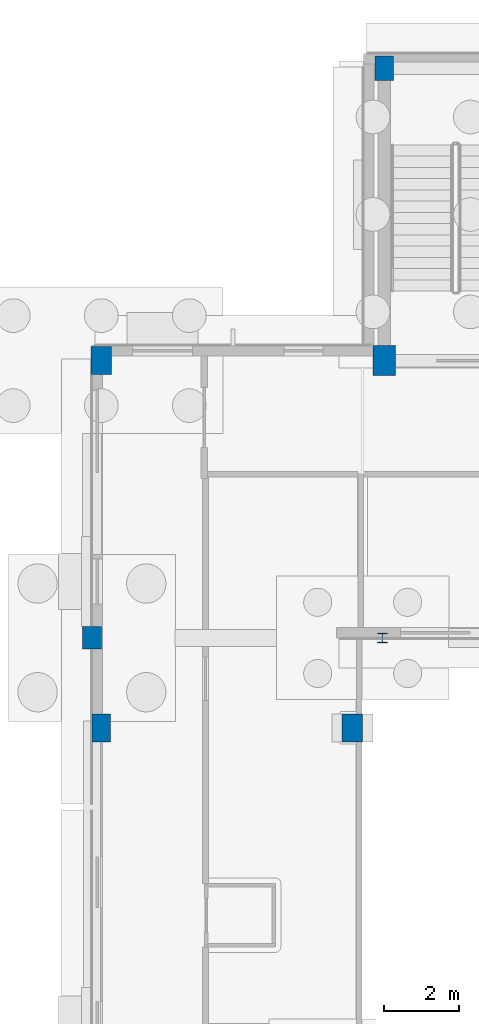
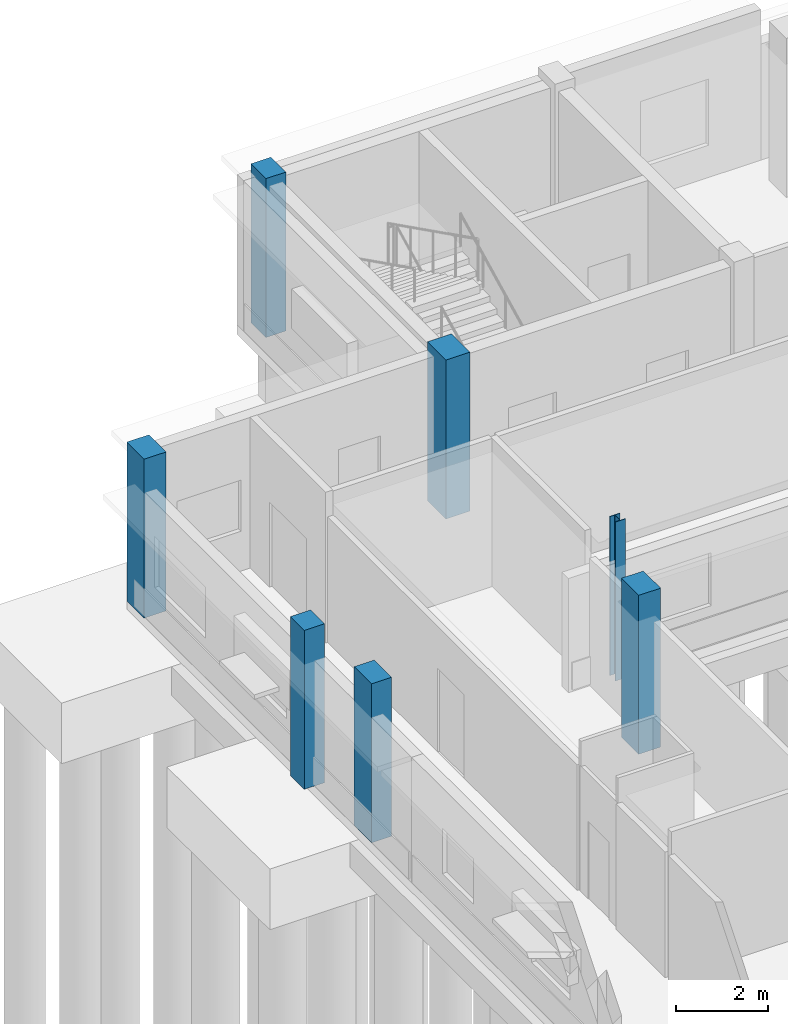
# One storey, part 22 of 93: 7 columns.
"""IFC4 building model written with IfcOpenShell, lengths in metres."""

from ifc_helpers import new_model, si_unit, direction, frame, origin, origin_2d, place, context, subcontext, project, spatial, rectangle, i_section, extrude, material, material_profile, profile_set, type_object, element, save


model = new_model("IFC4")

# Units and contexts
model_context = context("Model", 3, precision=1e-05, world=origin(), true_north=direction((0.0, 1.0)))
body_context = subcontext(model_context, "Body", "Model", "MODEL_VIEW")
ifc_project = project(units=[si_unit("LENGTHUNIT", "METRE"), si_unit("AREAUNIT", "SQUARE_METRE"), si_unit("VOLUMEUNIT", "CUBIC_METRE"), si_unit("PLANEANGLEUNIT", "RADIAN"), si_unit("MASSUNIT", "GRAM", prefix="KILO")], contexts=[model_context])

# Site, building, storey
site_placement = place(None, origin())
site = spatial("IfcSite", under=ifc_project, at=site_placement, CompositionType="ELEMENT")
building_placement = place(site_placement, origin())
building = spatial("IfcBuilding", under=site, at=building_placement, Name="Kelanivale Promenade Academy", CompositionType="ELEMENT")
storey_placement = place(building_placement, origin())
storey = spatial("IfcBuildingStorey", under=building, at=storey_placement, Name="L00", CompositionType="ELEMENT", Elevation=0.0)

# Columns
ifc_material_1 = material(Name="Concrete C40/50", Category="concrete")
ifc_material_profile_1 = material_profile(ifc_material_1, rectangle(XDim=0.5, YDim=0.64990234375, at=origin_2d()), Name="RC-COL 500x650")
ifc_profile_set_1 = profile_set([ifc_material_profile_1], Name="Concrete C40/50")
column_type_1 = type_object("IfcColumnType", Name="C-11 RC-COL 500x650", PredefinedType="COLUMN", material=ifc_profile_set_1)
column_1_placement = place(storey_placement, frame((123.39990234375, 111.60009765625, 0.0), z_axis=(0.0, 0.0, 1.0), x_axis=(1.0, 0.0, 0.0)))
element("IfcColumn", 1, at=column_1_placement, inside=storey, type_object=column_type_1, Name="Column C-11 at (123.4, 111.6) L00", PredefinedType="COLUMN", context=body_context, shape_type="SweptSolid", body=[
    extrude(rectangle(XDim=0.5, YDim=0.64990234375, at=origin_2d()), origin(), (0.0, 0.0, 1.0), 4.199951171875),
])
ifc_material_profile_2 = material_profile(ifc_material_1, rectangle(XDim=0.5, YDim=0.75, at=origin_2d()), Name="RC-COL 500x750")
ifc_profile_set_2 = profile_set([ifc_material_profile_2], Name="Concrete C40/50")
column_type_2 = type_object("IfcColumnType", Name="C-12 RC-COL 500x750", PredefinedType="COLUMN", material=ifc_profile_set_2)
column_2_placement = place(storey_placement, frame((115.85009765625, 94.0, 0.0), z_axis=(0.0, 0.0, 1.0), x_axis=(1.0, 0.0, 0.0)))
element("IfcColumn", 2, at=column_2_placement, inside=storey, type_object=column_type_2, Name="Column C-12 at (115.8, 94.0) L00", PredefinedType="COLUMN", context=body_context, shape_type="SweptSolid", body=[
    extrude(rectangle(XDim=0.5, YDim=0.75, at=origin_2d()), origin(), (0.0, 0.0, 1.0), 4.199951171875),
])
ifc_material_profile_3 = material_profile(ifc_material_1, rectangle(XDim=0.550048828125, YDim=0.75, at=origin_2d()), Name="RC-COL 550x750")
ifc_profile_set_3 = profile_set([ifc_material_profile_3], Name="Concrete C40/50")
column_type_3 = type_object("IfcColumnType", Name="C-13 RC-COL 550x750", PredefinedType="COLUMN", material=ifc_profile_set_3)
for number, where, z_axis, x_axis, name in (
    (3, (115.85009765625, 103.800048828125, 0.0), (0.0, 0.0, 1.0), (1.0, 0.0, 0.0), "Column C-13 at (115.8, 103.8) L00"),
    (4, (122.550048828125, 94.0, 0.0), (0.0, 0.0, 1.0), (1.0, 0.0, 0.0), "Column C-13 at (122.5, 94.0) L00"),
):
    element("IfcColumn", number, at=place(storey_placement, frame(where, z_axis=z_axis, x_axis=x_axis)), inside=storey, type_object=column_type_3, Name=name, PredefinedType="COLUMN", context=body_context, shape_type="SweptSolid", body=[
        extrude(rectangle(XDim=0.550048828125, YDim=0.75, at=origin_2d()), origin(), (0.0, 0.0, 1.0), 4.199951171875),
    ])
ifc_material_profile_4 = material_profile(ifc_material_1, rectangle(XDim=0.60009765625, YDim=0.800048828125, at=origin_2d()), Name="RC-COL 600x800")
ifc_profile_set_4 = profile_set([ifc_material_profile_4], Name="Concrete C40/50")
column_type_4 = type_object("IfcColumnType", Name="C-14 RC-COL 600x800", PredefinedType="COLUMN", material=ifc_profile_set_4)
column_3_placement = place(storey_placement, frame((123.39990234375, 103.800048828125, 0.0), z_axis=(0.0, 0.0, 1.0), x_axis=(1.0, 0.0, 0.0)))
element("IfcColumn", 5, at=column_3_placement, inside=storey, type_object=column_type_4, Name="Column C-14 at (123.4, 103.8) L00", PredefinedType="COLUMN", context=body_context, shape_type="SweptSolid", body=[
    extrude(rectangle(XDim=0.60009765625, YDim=0.800048828125, at=origin_2d()), origin(), (0.0, 0.0, 1.0), 4.199951171875),
])
ifc_material_profile_5 = material_profile(ifc_material_1, rectangle(XDim=0.5, YDim=0.60009765625, at=origin_2d()), Name="RC-PIL 500x600")
ifc_profile_set_5 = profile_set([ifc_material_profile_5], Name="Concrete C40/50")
column_type_5 = type_object("IfcColumnType", Name="PL-18 RC-PIL 500x600", PredefinedType="PILASTER", material=ifc_profile_set_5)
column_4_placement = place(storey_placement, frame((115.60009765625, 96.39990234375, 0.0), z_axis=(0.0, 0.0, 1.0), x_axis=(1.0, 0.0, 0.0)))
element("IfcColumn", 6, at=column_4_placement, inside=storey, type_object=column_type_5, Name="Column PL-18 at (115.6, 96.4) L00", PredefinedType="PILASTER", context=body_context, shape_type="SweptSolid", body=[
    extrude(rectangle(XDim=0.5, YDim=0.60009765625, at=origin_2d()), origin(), (0.0, 0.0, 1.0), 4.199951171875),
])
ifc_material_2 = material(Name="Steel S355", Category="steel")
ifc_material_profile_6 = material_profile(ifc_material_2, i_section(OverallWidth=0.254638671875, OverallDepth=0.254150390625, WebThickness=0.008544921875, FlangeThickness=0.01416015625, FilletRadius=0.0126953125, at=origin_2d()), Name="UC 254x254x73")
ifc_profile_set_6 = profile_set([ifc_material_profile_6], Name="Steel S355")
column_type_6 = type_object("IfcColumnType", Name="SC-02 UC 254x254x73", PredefinedType="COLUMN", material=ifc_profile_set_6)
column_5_placement = place(storey_placement, frame((123.35009765625, 96.39990234375, 0.0), z_axis=(0.0, 0.0, 1.0), x_axis=(1.0, 0.0, 0.0)))
element("IfcColumn", 7, at=column_5_placement, inside=storey, type_object=column_type_6, Name="Column SC-02 at (123.3, 96.4) L00", PredefinedType="COLUMN", context=body_context, shape_type="SweptSolid", body=[
    extrude(i_section(OverallWidth=0.254638671875, OverallDepth=0.254150390625, WebThickness=0.008544921875, FlangeThickness=0.01416015625, FilletRadius=0.0126953125, at=origin_2d()), origin(), (0.0, 0.0, 1.0), 4.199951171875),
])

save(model, "model.ifc")
